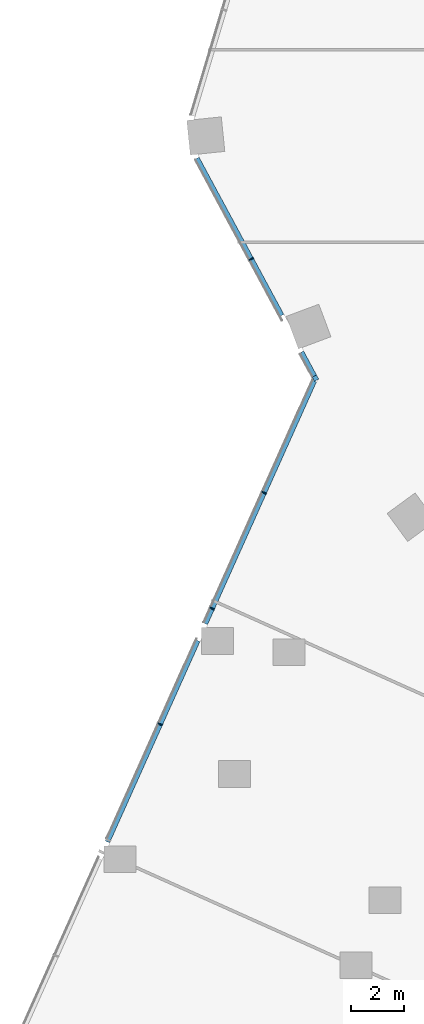
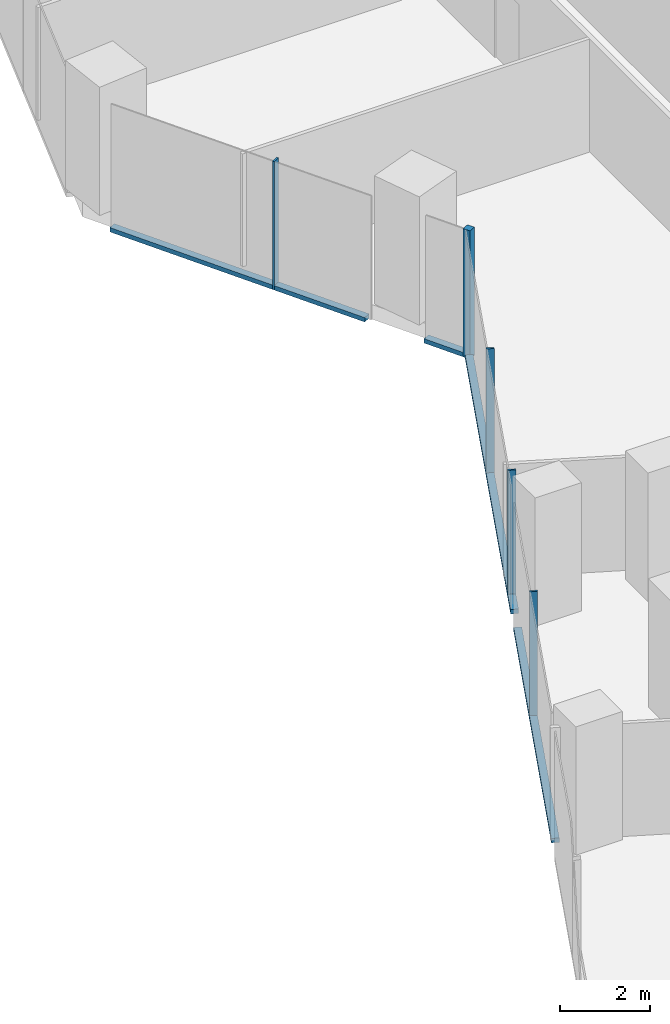
# One storey, part 6 of 34: 9 members, 2 elements without a shape of their own.
"""IFC4 building model written with IfcOpenShell, lengths in metres."""

from ifc_helpers import new_model, si_unit, direction, frame, origin, origin_2d, place, context, subcontext, project, spatial, rectangle, extrude, material, material_profile, profile_set, type_object, element, aggregate, save


model = new_model("IFC4")

# Units and contexts
model_context = context("Model", 3, precision=1e-05, world=origin(), true_north=direction((0.0, 1.0)))
body_context = subcontext(model_context, "Body", "Model", "MODEL_VIEW")
ifc_project = project(units=[si_unit("LENGTHUNIT", "METRE"), si_unit("AREAUNIT", "SQUARE_METRE"), si_unit("VOLUMEUNIT", "CUBIC_METRE"), si_unit("PLANEANGLEUNIT", "RADIAN"), si_unit("MASSUNIT", "GRAM", prefix="KILO")], contexts=[model_context])

# Site, building, storey
site_placement = place(None, origin())
site = spatial("IfcSite", under=ifc_project, at=site_placement, CompositionType="ELEMENT")
building_placement = place(site_placement, origin())
building = spatial("IfcBuilding", under=site, at=building_placement, Name="Orlundy Tower", CompositionType="ELEMENT")
storey_placement = place(building_placement, frame((0.0, 0.0, 127.199951171875)))
storey = spatial("IfcBuildingStorey", under=building, at=storey_placement, Name="L32", CompositionType="ELEMENT", Elevation=127.199951171875)

# Curtain wall, member
ifc_material_1 = material(Name="Aluminium bronze anodised", Category="aluminium")
curtain_wall_type = type_object("IfcCurtainWallType", Name="CW1 wall", PredefinedType="NOTDEFINED", material=ifc_material_1)
curtain_wall_1_placement = place(storey_placement, origin())
curtain_wall_1 = element("IfcCurtainWall", 1, at=curtain_wall_1_placement, inside=storey, type_object=curtain_wall_type, Name="CW1 run 01", PredefinedType="NOTDEFINED")
ifc_material_2 = material(Name="Aluminium bronze anodised", Category="aluminium")
ifc_material_profile_1 = material_profile(ifc_material_2, rectangle(XDim=0.179931640625, YDim=0.179931640625, at=origin_2d()), Name="CW1 corner post 180x180")
ifc_profile_set_1 = profile_set([ifc_material_profile_1], Name="Aluminium bronze anodised")
member_type_1 = type_object("IfcMemberType", Name="CW1 corner post 180x180", PredefinedType="MULLION", material=ifc_profile_set_1)
member_1_placement = place(storey_placement, frame((-27.545166015625, -12.314697265625, -0.39990234375), z_axis=(0.0, 0.0, 1.0), x_axis=(-0.880188659482, -0.4746239814, 0.0)))
member_1 = element("IfcMember", 2, at=member_1_placement, type_object=member_type_1, Name="CW1 mullion 7", PredefinedType="MULLION", context=body_context, shape_type="SweptSolid", body=[
    extrude(rectangle(XDim=0.179931640625, YDim=0.179931640625, at=origin_2d()), origin(), (0.0, 0.0, 1.0), 3.5),
])

# Curtain wall, members
curtain_wall_2_placement = place(storey_placement, origin())
curtain_wall_2 = element("IfcCurtainWall", 3, at=curtain_wall_2_placement, inside=storey, type_object=curtain_wall_type, Name="CW1 run 00", PredefinedType="NOTDEFINED")
ifc_material_3 = material(Name="Aluminium bronze anodised", Category="aluminium")
ifc_material_profile_2 = material_profile(ifc_material_3, rectangle(XDim=0.179931640625, YDim=0.050048828125, at=origin_2d()), Name="CW1 mullion 50x180")
ifc_profile_set_2 = profile_set([ifc_material_profile_2], Name="Aluminium bronze anodised")
member_type_2 = type_object("IfcMemberType", Name="CW1 mullion 50x180", PredefinedType="MULLION", material=ifc_profile_set_2)
member_2_placement = place(storey_placement, frame((-33.36767578125, -25.28955078125, -0.39990234375), z_axis=(0.0, 0.0, 1.0), x_axis=(-0.912353169834, 0.409404071174, 0.0)))
member_2 = element("IfcMember", 4, at=member_2_placement, type_object=member_type_2, Name="CW1 mullion 4", PredefinedType="MULLION", context=body_context, shape_type="SweptSolid", body=[
    extrude(rectangle(XDim=0.179931640625, YDim=0.050048828125, at=origin_2d()), origin(), (0.0, 0.0, 1.0), 3.5),
])
member_3_placement = place(storey_placement, frame((-31.4208984375, -20.951171875, -0.39990234375), z_axis=(0.0, 0.0, 1.0), x_axis=(-0.912353169834, 0.409404071174, 0.0)))
member_3 = element("IfcMember", 5, at=member_3_placement, type_object=member_type_2, Name="CW1 mullion 5", PredefinedType="MULLION", context=body_context, shape_type="SweptSolid", body=[
    extrude(rectangle(XDim=0.179931640625, YDim=0.050048828125, at=origin_2d()), origin(), (0.0, 0.0, 1.0), 3.5),
])
member_4_placement = place(storey_placement, frame((-29.473876953125, -16.612548828125, -0.39990234375), z_axis=(0.0, 0.0, 1.0), x_axis=(-0.912353169834, 0.409404071174, 0.0)))
member_4 = element("IfcMember", 6, at=member_4_placement, type_object=member_type_2, Name="CW1 mullion 6", PredefinedType="MULLION", context=body_context, shape_type="SweptSolid", body=[
    extrude(rectangle(XDim=0.179931640625, YDim=0.050048828125, at=origin_2d()), origin(), (0.0, 0.0, 1.0), 3.5),
])

# Member
member_5_placement = place(storey_placement, frame((-29.95361328125, -7.84814453125, -0.39990234375), z_axis=(0.0, 0.0, 1.0), x_axis=(-0.880188659482, -0.4746239814, 0.0)))
member_5 = element("IfcMember", 7, at=member_5_placement, type_object=member_type_2, Name="CW1 mullion 8", PredefinedType="MULLION", context=body_context, shape_type="SweptSolid", body=[
    extrude(rectangle(XDim=0.179931640625, YDim=0.050048828125, at=origin_2d()), origin(), (0.0, 0.0, 1.0), 3.5),
])

ifc_material_4 = material(Name="Aluminium bronze anodised", Category="aluminium")
ifc_material_profile_3 = material_profile(ifc_material_4, rectangle(XDim=0.179931640625, YDim=0.1201171875, at=origin_2d()), Name="CW1 transom 180x120")
ifc_profile_set_3 = profile_set([ifc_material_profile_3], Name="Aluminium bronze anodised")
member_type_3 = type_object("IfcMemberType", Name="CW1 transom 180x120", PredefinedType="USERDEFINED", material=ifc_profile_set_3)
member_6_placement = place(storey_placement, frame((-35.344970703125, -29.696044921875, -0.33984375), z_axis=(0.409415362289, 0.91234810304, 0.0), x_axis=(-0.91234810304, 0.409415362289, 0.0)))
member_6 = element("IfcMember", 8, at=member_6_placement, type_object=member_type_3, Name="CW1 transom", ObjectType="TRANSOM", PredefinedType="USERDEFINED", context=body_context, shape_type="SweptSolid", body=[
    extrude(rectangle(XDim=0.179931640625, YDim=0.1201171875, at=origin_2d()), origin(), (0.0, 0.0, 1.0), 8.267822265625),
])

member_7_placement = place(storey_placement, frame((-31.67431640625, -21.51611328125, -0.33984375), z_axis=(0.40940244043, 0.912353901603, 0.0), x_axis=(-0.912353901603, 0.40940244043, 0.0)))
member_7 = element("IfcMember", 9, at=member_7_placement, type_object=member_type_3, Name="CW1 transom", ObjectType="TRANSOM", PredefinedType="USERDEFINED", context=body_context, shape_type="SweptSolid", body=[
    extrude(rectangle(XDim=0.179931640625, YDim=0.1201171875, at=origin_2d()), origin(), (0.0, 0.0, 1.0), 9.971923828125),
])

aggregate(curtain_wall_2, [member_2, member_3, member_4, member_6, member_7])

member_8_placement = place(storey_placement, frame((-27.587890625, -12.2353515625, -0.33984375), z_axis=(-0.474768358729, 0.880110791634, 0.0), x_axis=(-0.880110791634, -0.474768358729, 0.0)))
member_8 = element("IfcMember", 10, at=member_8_placement, type_object=member_type_3, Name="CW1 transom", ObjectType="TRANSOM", PredefinedType="USERDEFINED", context=body_context, shape_type="SweptSolid", body=[
    extrude(rectangle(XDim=0.179931640625, YDim=0.1201171875, at=origin_2d()), origin(), (0.0, 0.0, 1.0), 1.0234375),
])

member_9_placement = place(storey_placement, frame((-28.814208984375, -9.96142578125, -0.33984375), z_axis=(-0.474628470518, 0.8801862388, 0.0), x_axis=(-0.8801862388, -0.474628470518, 0.0)))
member_9 = element("IfcMember", 11, at=member_9_placement, type_object=member_type_3, Name="CW1 transom", ObjectType="TRANSOM", PredefinedType="USERDEFINED", context=body_context, shape_type="SweptSolid", body=[
    extrude(rectangle(XDim=0.179931640625, YDim=0.1201171875, at=origin_2d()), origin(), (0.0, 0.0, 1.0), 6.691162109375),
])

aggregate(curtain_wall_1, [member_1, member_5, member_8, member_9])

save(model, "model.ifc")
